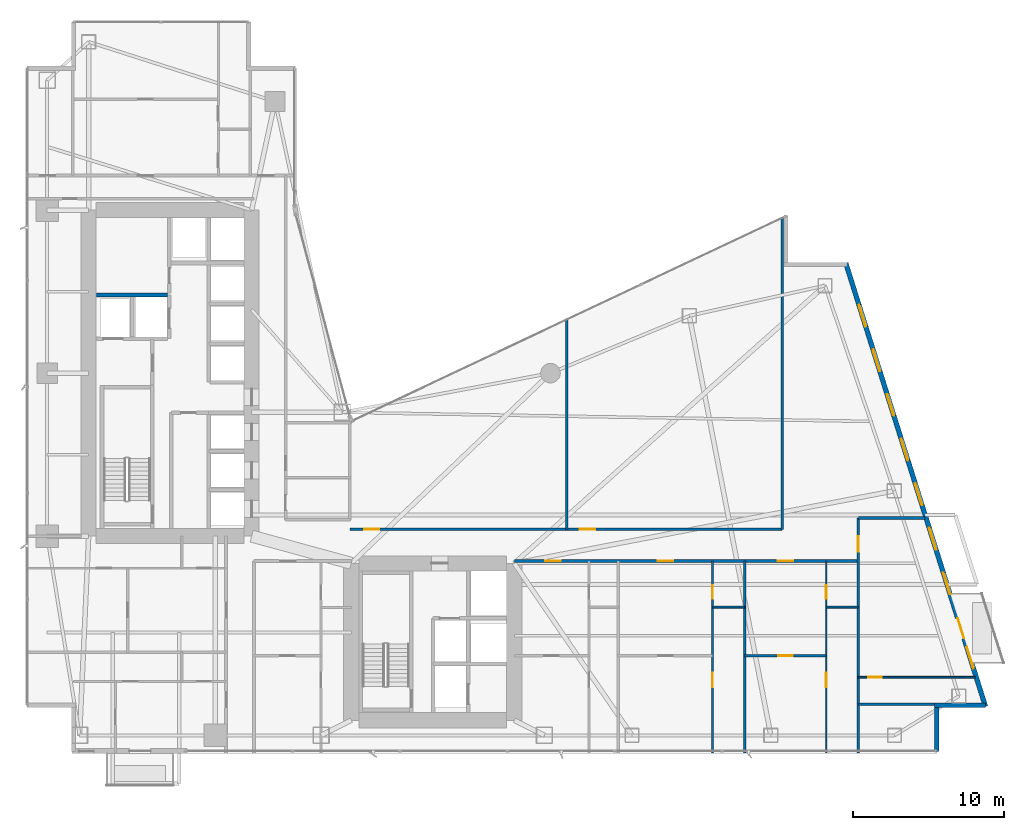
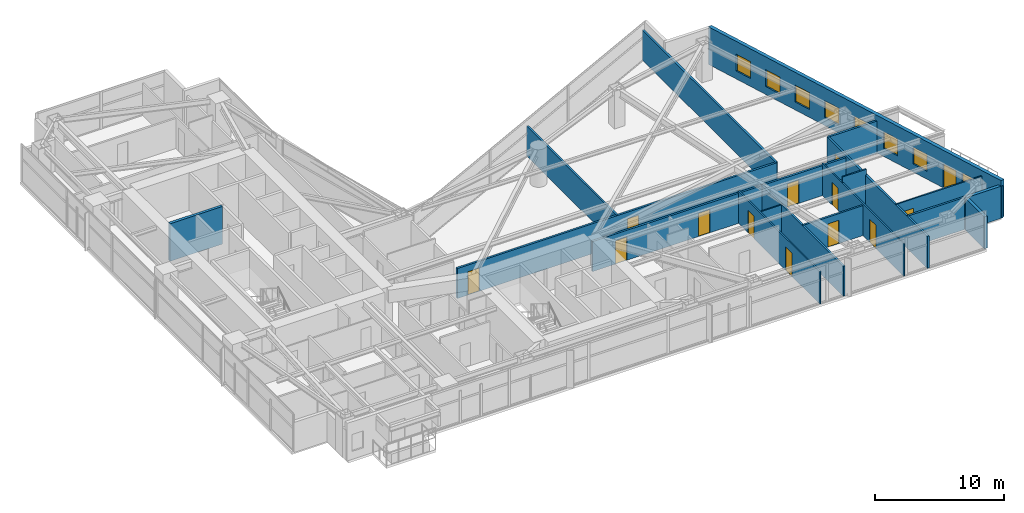
# One storey, part 24 of 30: 18 walls, 13 doors, 8 windows, 21 openings.
"""IFC4 building model written with IfcOpenShell, lengths in metres."""

from ifc_helpers import new_model, si_unit, direction, frame, frame_2d, origin, place, context, subcontext, project, spatial, rectangle, extrude, material, layer, layer_set, type_object, element, fill, save


model = new_model("IFC4")

# Units and contexts
model_context = context("Model", 3, precision=1e-05, world=origin(), true_north=direction((0.0, 1.0)))
body_context = subcontext(model_context, "Body", "Model", "MODEL_VIEW")
ifc_project = project(units=[si_unit("LENGTHUNIT", "METRE"), si_unit("AREAUNIT", "SQUARE_METRE"), si_unit("VOLUMEUNIT", "CUBIC_METRE"), si_unit("PLANEANGLEUNIT", "RADIAN"), si_unit("MASSUNIT", "GRAM", prefix="KILO")], contexts=[model_context])

# Site, building, storey
site_placement = place(None, origin())
site = spatial("IfcSite", under=ifc_project, at=site_placement, CompositionType="ELEMENT")
building_placement = place(site_placement, origin())
building = spatial("IfcBuilding", under=site, at=building_placement, Name="Calvorn Quay Hotel", CompositionType="ELEMENT")
storey_placement = place(building_placement, frame((0.0, 0.0, 30.800048828125)))
storey = spatial("IfcBuildingStorey", under=building, at=storey_placement, Name="L06", CompositionType="ELEMENT", Elevation=30.800048828125)

# Wall, openings, doors
ifc_material_1 = material(Name="Acoustic Fireboard Steel-Stud Partition", Category="steel")
ifc_layer_1 = layer(ifc_material_1, 0.179931640625)
ifc_layer_set_1 = layer_set([ifc_layer_1], Name="WL-CORR-FIRE-180")
wall_type_1 = type_object("IfcWallType", Name="WL-CORR-FIRE-180", PredefinedType="PARTITIONING", material=ifc_layer_set_1)
wall_1_placement = place(storey_placement, frame((32.39990234375, 15.14990234375, 0.0), z_axis=(0.0, 0.0, 1.0), x_axis=(1.0, 0.0, 0.0)))
wall_1 = element("IfcWall", 1, at=wall_1_placement, inside=storey, type_object=wall_type_1, Name="Partition Wall L06-WL-CORR-SE-S", PredefinedType="PARTITIONING", context=body_context, shape_type="SweptSolid", body=[
    extrude(rectangle(XDim=22.800048828125, YDim=0.179931640625, at=frame_2d((11.39990234375, 0.0))), origin(), (0.0, 0.0, 1.0), 2.83984375),
])
opening_1_placement = place(wall_1_placement, frame((2.070068359375, 0.0, 0.0)))
opening_1 = element("IfcOpeningElement", 2, at=opening_1_placement, cuts=wall_1, Name="Opening D-L06-U05", PredefinedType="OPENING", context=body_context, shape_type="SweptSolid", body=[
    extrude(rectangle(XDim=1.02001953125, YDim=2.199951171875, at=frame_2d((0.510009765625, 1.10009765625))), frame((0.0, 0.099853515625, 0.0), z_axis=(0.0, -1.0, 0.0), x_axis=(1.0, 0.0, 0.0)), (0.0, 0.0, 1.0), 0.199951171875),
])
opening_2_placement = place(wall_1_placement, frame((9.5, 0.0, 0.0)))
opening_2 = element("IfcOpeningElement", 3, at=opening_2_placement, cuts=wall_1, Name="Opening D-L06-U06", PredefinedType="OPENING", context=body_context, shape_type="SweptSolid", body=[
    extrude(rectangle(XDim=1.02001953125, YDim=2.199951171875, at=frame_2d((0.510009765625, 1.10009765625))), frame((0.0, 0.099853515625, 0.0), z_axis=(0.0, -1.0, 0.0), x_axis=(1.0, 0.0, 0.0)), (0.0, 0.0, 1.0), 0.199951171875),
])
opening_3_placement = place(wall_1_placement, frame((17.4599609375, 0.0, 0.0)))
opening_3 = element("IfcOpeningElement", 4, at=opening_3_placement, cuts=wall_1, Name="Opening D-L06-U07", PredefinedType="OPENING", context=body_context, shape_type="SweptSolid", body=[
    extrude(rectangle(XDim=1.02001953125, YDim=2.199951171875, at=frame_2d((0.510009765625, 1.10009765625))), frame((0.0, 0.099853515625, 0.0), z_axis=(0.0, -1.0, 0.0), x_axis=(1.0, 0.0, 0.0)), (0.0, 0.0, 1.0), 0.199951171875),
])
ifc_material_2 = material(Name="Solid-Core Walnut Veneer Hotel Fire Door")
door_type_1 = type_object("IfcDoorType", Name="DR-GUEST-ENTRY-1020", OperationType="NOTDEFINED", PredefinedType="DOOR", material=ifc_material_2)
door_1_placement = place(opening_1_placement, origin())
door_1 = element("IfcDoor", 5, at=door_1_placement, inside=storey, type_object=door_type_1, Name="South-East Unit Door U05 (L06)", OperationType="SINGLE_SWING_LEFT", OverallHeight=2.199951171875, OverallWidth=1.02001953125, PredefinedType="DOOR", context=body_context, shape_type="SweptSolid", body=[
    extrude(rectangle(XDim=1.02001953125, YDim=2.199951171875, at=frame_2d((0.510009765625, 1.10009765625))), frame((0.0, 0.02490234375, 0.0), z_axis=(0.0, -1.0, 0.0), x_axis=(1.0, 0.0, 0.0)), (0.0, 0.0, 1.0), 0.050048828125),
])
fill(opening_1, door_1)
door_2_placement = place(opening_2_placement, origin())
door_2 = element("IfcDoor", 6, at=door_2_placement, inside=storey, type_object=door_type_1, Name="South-East Unit Door U06 (L06)", OperationType="SINGLE_SWING_RIGHT", OverallHeight=2.199951171875, OverallWidth=1.02001953125, PredefinedType="DOOR", context=body_context, shape_type="SweptSolid", body=[
    extrude(rectangle(XDim=1.02001953125, YDim=2.199951171875, at=frame_2d((0.510009765625, 1.10009765625))), frame((0.0, 0.02490234375, 0.0), z_axis=(0.0, -1.0, 0.0), x_axis=(1.0, 0.0, 0.0)), (0.0, 0.0, 1.0), 0.050048828125),
])
fill(opening_2, door_2)
door_3_placement = place(opening_3_placement, origin())
door_3 = element("IfcDoor", 7, at=door_3_placement, inside=storey, type_object=door_type_1, Name="South-East Unit Door U07 (L06)", OperationType="SINGLE_SWING_LEFT", OverallHeight=2.199951171875, OverallWidth=1.02001953125, PredefinedType="DOOR", context=body_context, shape_type="SweptSolid", body=[
    extrude(rectangle(XDim=1.02001953125, YDim=2.199951171875, at=frame_2d((0.510009765625, 1.10009765625))), frame((0.0, 0.02490234375, 0.0), z_axis=(0.0, -1.0, 0.0), x_axis=(1.0, 0.0, 0.0)), (0.0, 0.0, 1.0), 0.050048828125),
])
fill(opening_3, door_3)

wall_2_placement = place(storey_placement, frame((21.5, 17.25, 0.0), z_axis=(0.0, 0.0, 1.0), x_axis=(1.0, 0.0, 0.0)))
wall_2 = element("IfcWall", 8, at=wall_2_placement, inside=storey, type_object=wall_type_1, Name="Partition Wall L06-WL-CORR-NE-N", PredefinedType="PARTITIONING", context=body_context, shape_type="SweptSolid", body=[
    extrude(rectangle(XDim=28.64990234375, YDim=0.179931640625, at=frame_2d((14.324951171875, 0.0))), origin(), (0.0, 0.0, 1.0), 2.83984375),
])
opening_4_placement = place(wall_2_placement, frame((0.949951171875, 0.0, 0.0)))
opening_4 = element("IfcOpeningElement", 9, at=opening_4_placement, cuts=wall_2, Name="Opening D-L06-NS1", PredefinedType="OPENING", context=body_context, shape_type="SweptSolid", body=[
    extrude(rectangle(XDim=1.02001953125, YDim=2.199951171875, at=frame_2d((0.510009765625, 1.10009765625))), frame((0.0, 0.099853515625, 0.0), z_axis=(0.0, -1.0, 0.0), x_axis=(1.0, 0.0, 0.0)), (0.0, 0.0, 1.0), 0.199951171875),
])
opening_5_placement = place(wall_2_placement, frame((15.22998046875, 0.0, 0.0)))
opening_5 = element("IfcOpeningElement", 10, at=opening_5_placement, cuts=wall_2, Name="Opening D-L06-NS2", PredefinedType="OPENING", context=body_context, shape_type="SweptSolid", body=[
    extrude(rectangle(XDim=1.02001953125, YDim=2.199951171875, at=frame_2d((0.510009765625, 1.10009765625))), frame((0.0, 0.099853515625, 0.0), z_axis=(0.0, -1.0, 0.0), x_axis=(1.0, 0.0, 0.0)), (0.0, 0.0, 1.0), 0.199951171875),
])
door_4_placement = place(opening_4_placement, origin())
door_4 = element("IfcDoor", 11, at=door_4_placement, inside=storey, type_object=door_type_1, Name="Conservatory Salon Door 1 (L06)", OperationType="SINGLE_SWING_RIGHT", OverallHeight=2.199951171875, OverallWidth=1.02001953125, PredefinedType="DOOR", context=body_context, shape_type="SweptSolid", body=[
    extrude(rectangle(XDim=1.02001953125, YDim=2.199951171875, at=frame_2d((0.510009765625, 1.10009765625))), frame((0.0, 0.02490234375, 0.0), z_axis=(0.0, -1.0, 0.0), x_axis=(1.0, 0.0, 0.0)), (0.0, 0.0, 1.0), 0.050048828125),
])
fill(opening_4, door_4)
door_5_placement = place(opening_5_placement, origin())
door_5 = element("IfcDoor", 12, at=door_5_placement, inside=storey, type_object=door_type_1, Name="Conservatory Salon Door 2 (L06)", OperationType="SINGLE_SWING_LEFT", OverallHeight=2.199951171875, OverallWidth=1.02001953125, PredefinedType="DOOR", context=body_context, shape_type="SweptSolid", body=[
    extrude(rectangle(XDim=1.02001953125, YDim=2.199951171875, at=frame_2d((0.510009765625, 1.10009765625))), frame((0.0, 0.02490234375, 0.0), z_axis=(0.0, -1.0, 0.0), x_axis=(1.0, 0.0, 0.0)), (0.0, 0.0, 1.0), 0.050048828125),
])
fill(opening_5, door_5)

# Walls
wall_3_placement = place(storey_placement, frame((50.14990234375, 17.25, 0.0), z_axis=(0.0, 0.0, 1.0), x_axis=(0.0, 1.0, 0.0)))
element("IfcWall", 13, at=wall_3_placement, inside=storey, type_object=wall_type_1, Name="Partition Wall L06-WL-NE-END-E", PredefinedType="PARTITIONING", context=body_context, shape_type="SweptSolid", body=[
    extrude(rectangle(XDim=20.7099609375, YDim=0.179931640625, at=frame_2d((10.35498046875, 0.0))), origin(), (0.0, 0.0, 1.0), 2.83984375),
])
wall_4_placement = place(storey_placement, frame((55.199951171875, 5.659912109375, 0.0), z_axis=(0.0, 0.0, 1.0), x_axis=(1.0, 0.0, 0.0)))
element("IfcWall", 14, at=wall_4_placement, inside=storey, type_object=wall_type_1, Name="Partition Wall L06-WL-TIP-S", PredefinedType="PARTITIONING", context=body_context, shape_type="SweptSolid", body=[
    extrude(rectangle(XDim=5.199951171875, YDim=0.179931640625, at=frame_2d((2.60009765625, 0.0))), origin(), (0.0, 0.0, 1.0), 3.0400390625),
])
wall_5_placement = place(storey_placement, frame((55.199951171875, 18.0, 0.0), z_axis=(0.0, 0.0, 1.0), x_axis=(1.0, 0.0, 0.0)))
element("IfcWall", 15, at=wall_5_placement, inside=storey, type_object=wall_type_1, Name="Partition Wall L06-WL-TIP-DIV", PredefinedType="PARTITIONING", context=body_context, shape_type="SweptSolid", body=[
    extrude(rectangle(XDim=4.429931640625, YDim=0.179931640625, at=frame_2d((2.21484375, 0.0))), origin(), (0.0, 0.0, 1.0), 3.0400390625),
])

# Wall, opening, door
wall_6_placement = place(storey_placement, frame((55.199951171875, 2.43994140625, 0.0), z_axis=(0.0, 0.0, 1.0), x_axis=(0.0, 1.0, 0.0)))
wall_6 = element("IfcWall", 16, at=wall_6_placement, inside=storey, type_object=wall_type_1, Name="Partition Wall L06-WL-CORR-TIP-E1", PredefinedType="PARTITIONING", context=body_context, shape_type="SweptSolid", body=[
    extrude(rectangle(XDim=15.56005859375, YDim=0.179931640625, at=frame_2d((7.780029296875, 0.0))), origin(), (0.0, 0.0, 1.0), 3.0400390625),
])
opening_6_placement = place(wall_6_placement, frame((13.330078125, 0.0, 0.0)))
opening_6 = element("IfcOpeningElement", 17, at=opening_6_placement, cuts=wall_6, Name="Opening D-L06-U08", PredefinedType="OPENING", context=body_context, shape_type="SweptSolid", body=[
    extrude(rectangle(XDim=1.02001953125, YDim=2.199951171875, at=frame_2d((0.510009765625, 1.10009765625))), frame((0.0, 0.099853515625, 0.0), z_axis=(0.0, -1.0, 0.0), x_axis=(1.0, 0.0, 0.0)), (0.0, 0.0, 1.0), 0.199951171875),
])
door_6_placement = place(opening_6_placement, origin())
door_6 = element("IfcDoor", 18, at=door_6_placement, inside=storey, type_object=door_type_1, Name="Terrace Suite Door U08 (L06)", OperationType="SINGLE_SWING_LEFT", OverallHeight=2.199951171875, OverallWidth=1.02001953125, PredefinedType="DOOR", context=body_context, shape_type="SweptSolid", body=[
    extrude(rectangle(XDim=1.02001953125, YDim=2.199951171875, at=frame_2d((0.510009765625, 1.10009765625))), frame((0.0, 0.02490234375, 0.0), z_axis=(0.0, -1.0, 0.0), x_axis=(1.0, 0.0, 0.0)), (0.0, 0.0, 1.0), 0.050048828125),
])
fill(opening_6, door_6)

# Wall
ifc_material_3 = material(Name="Moisture-Resistant Tile-Backed Partition")
ifc_layer_2 = layer(ifc_material_3, 0.125)
ifc_layer_set_2 = layer_set([ifc_layer_2], Name="WL-ENSUITE-125")
wall_type_2 = type_object("IfcWallType", Name="WL-ENSUITE-125", PredefinedType="PARTITIONING", material=ifc_layer_set_2)
wall_7_placement = place(storey_placement, frame((45.5400390625, 12.10009765625, 0.0), z_axis=(0.0, 0.0, 1.0), x_axis=(1.0, 0.0, 0.0)))
element("IfcWall", 19, at=wall_7_placement, inside=storey, type_object=wall_type_2, Name="Partition Wall L06-WL-U06-BDV", PredefinedType="PARTITIONING", context=body_context, shape_type="SweptSolid", body=[
    extrude(rectangle(XDim=2.1298828125, YDim=0.125, at=frame_2d((1.06494140625, 0.0))), origin(), (0.0, 0.0, 1.0), 2.83984375),
])

# Wall, openings, doors
wall_8_placement = place(storey_placement, frame((45.5400390625, 2.43994140625, 0.0), z_axis=(0.0, 0.0, 1.0), x_axis=(0.0, 1.0, 0.0)))
wall_8 = element("IfcWall", 20, at=wall_8_placement, inside=storey, type_object=wall_type_2, Name="Partition Wall L06-WL-U06-BV", PredefinedType="PARTITIONING", context=body_context, shape_type="SweptSolid", body=[
    extrude(rectangle(XDim=12.7099609375, YDim=0.125, at=frame_2d((6.35498046875, 0.0))), origin(), (0.0, 0.0, 1.0), 3.0400390625),
])
opening_7_placement = place(wall_8_placement, frame((4.35009765625, 0.0, 0.0)))
opening_7 = element("IfcOpeningElement", 21, at=opening_7_placement, cuts=wall_8, Name="Opening D-L06-S06", PredefinedType="OPENING", context=body_context, shape_type="SweptSolid", body=[
    extrude(rectangle(XDim=0.9599609375, YDim=2.199951171875, at=frame_2d((0.47998046875, 1.10009765625))), frame((0.0, 0.072509765625, 0.0), z_axis=(0.0, -1.0, 0.0), x_axis=(1.0, 0.0, 0.0)), (0.0, 0.0, 1.0), 0.14501953125),
])
opening_8_placement = place(wall_8_placement, frame((10.2099609375, 0.0, 0.0)))
opening_8 = element("IfcOpeningElement", 22, at=opening_8_placement, cuts=wall_8, Name="Opening D-L06-E06", PredefinedType="OPENING", context=body_context, shape_type="SweptSolid", body=[
    extrude(rectangle(XDim=0.89990234375, YDim=2.14990234375, at=frame_2d((0.449951171875, 1.074951171875))), frame((0.0, 0.072509765625, 0.0), z_axis=(0.0, -1.0, 0.0), x_axis=(1.0, 0.0, 0.0)), (0.0, 0.0, 1.0), 0.14501953125),
])
ifc_material_4 = material(Name="Moisture-Sealed Timber En-Suite Door", Category="wood")
door_type_2 = type_object("IfcDoorType", Name="DR-ENSUITE-900", OperationType="NOTDEFINED", PredefinedType="DOOR", material=ifc_material_4)
door_7_placement = place(opening_8_placement, origin())
door_7 = element("IfcDoor", 23, at=door_7_placement, inside=storey, type_object=door_type_2, Name="En-Suite Door 06", OperationType="SINGLE_SWING_RIGHT", OverallHeight=2.14990234375, OverallWidth=0.89990234375, PredefinedType="DOOR", context=body_context, shape_type="SweptSolid", body=[
    extrude(rectangle(XDim=0.89990234375, YDim=2.14990234375, at=frame_2d((0.449951171875, 1.074951171875))), frame((0.0, 0.02490234375, 0.0), z_axis=(0.0, -1.0, 0.0), x_axis=(1.0, 0.0, 0.0)), (0.0, 0.0, 1.0), 0.050048828125),
])
fill(opening_8, door_7)
ifc_material_5 = material(Name="Solid Timber Internal Suite Door", Category="wood")
door_type_3 = type_object("IfcDoorType", Name="DR-SUITE-INT-960", OperationType="NOTDEFINED", PredefinedType="DOOR", material=ifc_material_5)
door_8_placement = place(opening_7_placement, origin())
door_8 = element("IfcDoor", 24, at=door_8_placement, inside=storey, type_object=door_type_3, Name="Executive Study Door 06", OperationType="SINGLE_SWING_LEFT", OverallHeight=2.199951171875, OverallWidth=0.9599609375, PredefinedType="DOOR", context=body_context, shape_type="SweptSolid", body=[
    extrude(rectangle(XDim=0.9599609375, YDim=2.199951171875, at=frame_2d((0.47998046875, 1.10009765625))), frame((0.0, 0.02490234375, 0.0), z_axis=(0.0, -1.0, 0.0), x_axis=(1.0, 0.0, 0.0)), (0.0, 0.0, 1.0), 0.050048828125),
])
fill(opening_7, door_8)

# Wall
wall_9_placement = place(storey_placement, frame((53.070068359375, 12.10009765625, 0.0), z_axis=(0.0, 0.0, 1.0), x_axis=(1.0, 0.0, 0.0)))
element("IfcWall", 25, at=wall_9_placement, inside=storey, type_object=wall_type_2, Name="Partition Wall L06-WL-U07-BDV", PredefinedType="PARTITIONING", context=body_context, shape_type="SweptSolid", body=[
    extrude(rectangle(XDim=2.1298828125, YDim=0.125, at=frame_2d((1.06494140625, 0.0))), origin(), (0.0, 0.0, 1.0), 3.56005859375),
])

# Wall, openings, doors
wall_10_placement = place(storey_placement, frame((53.070068359375, 2.43994140625, 0.0), z_axis=(0.0, 0.0, 1.0), x_axis=(0.0, 1.0, 0.0)))
wall_10 = element("IfcWall", 26, at=wall_10_placement, inside=storey, type_object=wall_type_2, Name="Partition Wall L06-WL-U07-BV", PredefinedType="PARTITIONING", context=body_context, shape_type="SweptSolid", body=[
    extrude(rectangle(XDim=12.7099609375, YDim=0.125, at=frame_2d((6.35498046875, 0.0))), origin(), (0.0, 0.0, 1.0), 3.0400390625),
])
opening_9_placement = place(wall_10_placement, frame((4.35009765625, 0.0, 0.0)))
opening_9 = element("IfcOpeningElement", 27, at=opening_9_placement, cuts=wall_10, Name="Opening D-L06-S07", PredefinedType="OPENING", context=body_context, shape_type="SweptSolid", body=[
    extrude(rectangle(XDim=0.9599609375, YDim=2.199951171875, at=frame_2d((0.47998046875, 1.10009765625))), frame((0.0, 0.072509765625, 0.0), z_axis=(0.0, -1.0, 0.0), x_axis=(1.0, 0.0, 0.0)), (0.0, 0.0, 1.0), 0.14501953125),
])
opening_10_placement = place(wall_10_placement, frame((10.2099609375, 0.0, 0.0)))
opening_10 = element("IfcOpeningElement", 28, at=opening_10_placement, cuts=wall_10, Name="Opening D-L06-E07", PredefinedType="OPENING", context=body_context, shape_type="SweptSolid", body=[
    extrude(rectangle(XDim=0.89990234375, YDim=2.14990234375, at=frame_2d((0.449951171875, 1.074951171875))), frame((0.0, 0.072509765625, 0.0), z_axis=(0.0, -1.0, 0.0), x_axis=(1.0, 0.0, 0.0)), (0.0, 0.0, 1.0), 0.14501953125),
])
door_9_placement = place(opening_10_placement, origin())
door_9 = element("IfcDoor", 29, at=door_9_placement, inside=storey, type_object=door_type_2, Name="En-Suite Door 07", OperationType="SINGLE_SWING_RIGHT", OverallHeight=2.14990234375, OverallWidth=0.89990234375, PredefinedType="DOOR", context=body_context, shape_type="SweptSolid", body=[
    extrude(rectangle(XDim=0.89990234375, YDim=2.14990234375, at=frame_2d((0.449951171875, 1.074951171875))), frame((0.0, 0.02490234375, 0.0), z_axis=(0.0, -1.0, 0.0), x_axis=(1.0, 0.0, 0.0)), (0.0, 0.0, 1.0), 0.050048828125),
])
fill(opening_10, door_9)
door_10_placement = place(opening_9_placement, origin())
door_10 = element("IfcDoor", 30, at=door_10_placement, inside=storey, type_object=door_type_3, Name="Executive Study Door 07", OperationType="SINGLE_SWING_LEFT", OverallHeight=2.199951171875, OverallWidth=0.9599609375, PredefinedType="DOOR", context=body_context, shape_type="SweptSolid", body=[
    extrude(rectangle(XDim=0.9599609375, YDim=2.199951171875, at=frame_2d((0.47998046875, 1.10009765625))), frame((0.0, 0.02490234375, 0.0), z_axis=(0.0, -1.0, 0.0), x_axis=(1.0, 0.0, 0.0)), (0.0, 0.0, 1.0), 0.050048828125),
])
fill(opening_9, door_10)

# Wall, opening, door
wall_11_placement = place(storey_placement, frame((55.199951171875, 7.449951171875, 0.0), z_axis=(0.0, 0.0, 1.0), x_axis=(1.0, 0.0, 0.0)))
wall_11 = element("IfcWall", 31, at=wall_11_placement, inside=storey, type_object=wall_type_2, Name="Partition Wall L06-WL-U08-BH", PredefinedType="PARTITIONING", context=body_context, shape_type="SweptSolid", body=[
    extrude(rectangle(XDim=7.760009765625, YDim=0.125, at=frame_2d((3.8798828125, 0.0))), origin(), (0.0, 0.0, 1.0), 3.0400390625),
])
opening_11_placement = place(wall_11_placement, frame((0.64990234375, 0.0, 0.0)))
opening_11 = element("IfcOpeningElement", 32, at=opening_11_placement, cuts=wall_11, Name="Opening D-L06-E08", PredefinedType="OPENING", context=body_context, shape_type="SweptSolid", body=[
    extrude(rectangle(XDim=0.89990234375, YDim=2.14990234375, at=frame_2d((0.449951171875, 1.074951171875))), frame((0.0, 0.072509765625, 0.0), z_axis=(0.0, -1.0, 0.0), x_axis=(1.0, 0.0, 0.0)), (0.0, 0.0, 1.0), 0.14501953125),
])
door_11_placement = place(opening_11_placement, origin())
door_11 = element("IfcDoor", 33, at=door_11_placement, inside=storey, type_object=door_type_2, Name="En-Suite Door 08", OperationType="SINGLE_SWING_LEFT", OverallHeight=2.14990234375, OverallWidth=0.89990234375, PredefinedType="DOOR", context=body_context, shape_type="SweptSolid", body=[
    extrude(rectangle(XDim=0.89990234375, YDim=2.14990234375, at=frame_2d((0.449951171875, 1.074951171875))), frame((0.0, 0.02490234375, 0.0), z_axis=(0.0, -1.0, 0.0), x_axis=(1.0, 0.0, 0.0)), (0.0, 0.0, 1.0), 0.050048828125),
])
fill(opening_11, door_11)

# Walls
ifc_material_6 = material(Name="Concrete C40", Category="concrete")
ifc_layer_3 = layer(ifc_material_6, 0.320068359375)
ifc_layer_set_3 = layer_set([ifc_layer_3], Name="WL-EXT-SPANDREL-320")
wall_type_3 = type_object("IfcWallType", Name="WL-EXT-SPANDREL-320", PredefinedType="SOLIDWALL", material=ifc_layer_set_3)
wall_12_placement = place(storey_placement, frame((60.39990234375, 2.52001953125, 0.0), z_axis=(0.0, 0.0, 1.0), x_axis=(0.0, 1.0, 0.0)))
element("IfcWall", 34, at=wall_12_placement, inside=storey, type_object=wall_type_3, Name="Notched Corner Spandrel L06-SE1", PredefinedType="SOLIDWALL", context=body_context, shape_type="SweptSolid", body=[
    extrude(rectangle(XDim=2.93994140625, YDim=0.280029296875, at=frame_2d((1.469970703125, 0.0))), origin(), (0.0, 0.0, 1.0), 3.0400390625),
])
wall_13_placement = place(storey_placement, frame((60.260009765625, 5.60009765625, 0.0), z_axis=(0.0, 0.0, 1.0), x_axis=(1.0, 0.0, 0.0)))
element("IfcWall", 35, at=wall_13_placement, inside=storey, type_object=wall_type_3, Name="Notched Corner Spandrel L06-SE2", PredefinedType="SOLIDWALL", context=body_context, shape_type="SweptSolid", body=[
    extrude(rectangle(XDim=3.3798828125, YDim=0.280029296875, at=frame_2d((1.68994140625, 0.0))), origin(), (0.0, 0.0, 1.0), 3.0400390625),
])

# Wall, openings, door, windows
wall_14_placement = place(storey_placement, frame((63.6298828125, 5.5048828125, 0.0), z_axis=(0.0, 0.0, 1.0), x_axis=(-0.300501856448, 0.953781229775, 0.0)))
wall_14 = element("IfcWall", 36, at=wall_14_placement, inside=storey, type_object=wall_type_3, Name="East Stepped Waterfront Exterior Wall (L06)", PredefinedType="SOLIDWALL", context=body_context, shape_type="SweptSolid", body=[
    extrude(rectangle(XDim=30.814453125, YDim=0.320068359375, at=frame_2d((15.4072265625, 0.0))), origin(), (0.0, 0.0, 1.0), 3.56005859375),
])
opening_12_placement = place(wall_14_placement, frame((4.7470703125, 0.0, 0.0)))
opening_12 = element("IfcOpeningElement", 37, at=opening_12_placement, cuts=wall_14, Name="Opening DB-L06-1", PredefinedType="OPENING", context=body_context, shape_type="SweptSolid", body=[
    extrude(rectangle(XDim=1.39990234375, YDim=2.25, at=frame_2d((0.699951171875, 1.125))), frame((0.0, 0.169921875, 0.0), z_axis=(0.0, -1.0, 0.0), x_axis=(1.0, 0.0, 0.0)), (0.0, 0.0, 1.0), 0.340087890625),
])
opening_13_placement = place(wall_14_placement, frame((2.64990234375, 0.0, 0.75)))
opening_13 = element("IfcOpeningElement", 38, at=opening_13_placement, cuts=wall_14, Name="Opening WG-L06-E1", PredefinedType="OPENING", context=body_context, shape_type="SweptSolid", body=[
    extrude(rectangle(XDim=1.5, YDim=1.60009765625, at=frame_2d((0.75, 0.800048828125))), frame((0.0, 0.169921875, 0.0), z_axis=(0.0, -1.0, 0.0), x_axis=(1.0, 0.0, 0.0)), (0.0, 0.0, 1.0), 0.340087890625),
])
opening_14_placement = place(wall_14_placement, frame((7.800048828125, 0.0, 0.75)))
opening_14 = element("IfcOpeningElement", 39, at=opening_14_placement, cuts=wall_14, Name="Opening WG-L06-E2", PredefinedType="OPENING", context=body_context, shape_type="SweptSolid", body=[
    extrude(rectangle(XDim=1.5, YDim=1.60009765625, at=frame_2d((0.75, 0.800048828125))), frame((0.0, 0.169921875, 0.0), z_axis=(0.0, -1.0, 0.0), x_axis=(1.0, 0.0, 0.0)), (0.0, 0.0, 1.0), 0.340087890625),
])
opening_15_placement = place(wall_14_placement, frame((10.89990234375, 0.0, 0.75)))
opening_15 = element("IfcOpeningElement", 40, at=opening_15_placement, cuts=wall_14, Name="Opening WG-L06-E3", PredefinedType="OPENING", context=body_context, shape_type="SweptSolid", body=[
    extrude(rectangle(XDim=1.5, YDim=1.60009765625, at=frame_2d((0.75, 0.800048828125))), frame((0.0, 0.169921875, 0.0), z_axis=(0.0, -1.0, 0.0), x_axis=(1.0, 0.0, 0.0)), (0.0, 0.0, 1.0), 0.340087890625),
])
opening_16_placement = place(wall_14_placement, frame((14.0, 0.0, 0.75)))
opening_16 = element("IfcOpeningElement", 41, at=opening_16_placement, cuts=wall_14, Name="Opening WG-L06-E4", PredefinedType="OPENING", context=body_context, shape_type="SweptSolid", body=[
    extrude(rectangle(XDim=1.5, YDim=1.60009765625, at=frame_2d((0.75, 0.800048828125))), frame((0.0, 0.169921875, 0.0), z_axis=(0.0, -1.0, 0.0), x_axis=(1.0, 0.0, 0.0)), (0.0, 0.0, 1.0), 0.340087890625),
])
opening_17_placement = place(wall_14_placement, frame((17.10009765625, 0.0, 0.75)))
opening_17 = element("IfcOpeningElement", 42, at=opening_17_placement, cuts=wall_14, Name="Opening WG-L06-E5", PredefinedType="OPENING", context=body_context, shape_type="SweptSolid", body=[
    extrude(rectangle(XDim=1.5, YDim=1.60009765625, at=frame_2d((0.75, 0.800048828125))), frame((0.0, 0.169921875, 0.0), z_axis=(0.0, -1.0, 0.0), x_axis=(1.0, 0.0, 0.0)), (0.0, 0.0, 1.0), 0.340087890625),
])
opening_18_placement = place(wall_14_placement, frame((20.199951171875, 0.0, 0.75)))
opening_18 = element("IfcOpeningElement", 43, at=opening_18_placement, cuts=wall_14, Name="Opening WG-L06-E6", PredefinedType="OPENING", context=body_context, shape_type="SweptSolid", body=[
    extrude(rectangle(XDim=1.5, YDim=1.60009765625, at=frame_2d((0.75, 0.800048828125))), frame((0.0, 0.169921875, 0.0), z_axis=(0.0, -1.0, 0.0), x_axis=(1.0, 0.0, 0.0)), (0.0, 0.0, 1.0), 0.340087890625),
])
opening_19_placement = place(wall_14_placement, frame((23.300048828125, 0.0, 0.75)))
opening_19 = element("IfcOpeningElement", 44, at=opening_19_placement, cuts=wall_14, Name="Opening WG-L06-E7", PredefinedType="OPENING", context=body_context, shape_type="SweptSolid", body=[
    extrude(rectangle(XDim=1.5, YDim=1.60009765625, at=frame_2d((0.75, 0.800048828125))), frame((0.0, 0.169921875, 0.0), z_axis=(0.0, -1.0, 0.0), x_axis=(1.0, 0.0, 0.0)), (0.0, 0.0, 1.0), 0.340087890625),
])
opening_20_placement = place(wall_14_placement, frame((26.39990234375, 0.0, 0.75)))
opening_20 = element("IfcOpeningElement", 45, at=opening_20_placement, cuts=wall_14, Name="Opening WG-L06-E8", PredefinedType="OPENING", context=body_context, shape_type="SweptSolid", body=[
    extrude(rectangle(XDim=1.5, YDim=1.60009765625, at=frame_2d((0.75, 0.800048828125))), frame((0.0, 0.169921875, 0.0), z_axis=(0.0, -1.0, 0.0), x_axis=(1.0, 0.0, 0.0)), (0.0, 0.0, 1.0), 0.340087890625),
])
ifc_material_7 = material(Name="Typhoon-Rated Low-E Aluminium Terrace Door", Category="aluminium")
door_type_4 = type_object("IfcDoorType", Name="DR-BALCONY-GLZ-1400", OperationType="NOTDEFINED", PredefinedType="DOOR", material=ifc_material_7)
door_12_placement = place(opening_12_placement, origin())
door_12 = element("IfcDoor", 46, at=door_12_placement, inside=storey, type_object=door_type_4, Name="Tree Balcony Terrace Door L06-BALC-E", OperationType="SINGLE_SWING_LEFT", OverallHeight=2.25, OverallWidth=1.39990234375, PredefinedType="DOOR", context=body_context, shape_type="SweptSolid", body=[
    extrude(rectangle(XDim=1.39990234375, YDim=2.25, at=frame_2d((0.699951171875, 1.125))), frame((0.0, 0.02490234375, 0.0), z_axis=(0.0, -1.0, 0.0), x_axis=(1.0, 0.0, 0.0)), (0.0, 0.0, 1.0), 0.050048828125),
])
fill(opening_12, door_12)
ifc_material_8 = material(Name="Self-Closing Class B Fire Window")
window_type = type_object("IfcWindowType", Name="WIN-REFUGE-1500x1600", PartitioningType="SINGLE_PANEL", PredefinedType="WINDOW", material=ifc_material_8)
window_1_placement = place(opening_13_placement, origin())
window_1 = element("IfcWindow", 47, at=window_1_placement, inside=storey, type_object=window_type, Name="East Facade Window L06-E1", OverallHeight=1.60009765625, OverallWidth=1.5, PartitioningType="SINGLE_PANEL", PredefinedType="WINDOW", context=body_context, shape_type="SweptSolid", body=[
    extrude(rectangle(XDim=1.5, YDim=1.60009765625, at=frame_2d((0.75, 0.800048828125))), frame((0.0, 0.030029296875, 0.0), z_axis=(0.0, -1.0, 0.0), x_axis=(1.0, 0.0, 0.0)), (0.0, 0.0, 1.0), 0.06005859375),
])
fill(opening_13, window_1)
window_2_placement = place(opening_14_placement, origin())
window_2 = element("IfcWindow", 48, at=window_2_placement, inside=storey, type_object=window_type, Name="East Facade Window L06-E2", OverallHeight=1.60009765625, OverallWidth=1.5, PartitioningType="SINGLE_PANEL", PredefinedType="WINDOW", context=body_context, shape_type="SweptSolid", body=[
    extrude(rectangle(XDim=1.5, YDim=1.60009765625, at=frame_2d((0.75, 0.800048828125))), frame((0.0, 0.030029296875, 0.0), z_axis=(0.0, -1.0, 0.0), x_axis=(1.0, 0.0, 0.0)), (0.0, 0.0, 1.0), 0.06005859375),
])
fill(opening_14, window_2)
window_3_placement = place(opening_15_placement, origin())
window_3 = element("IfcWindow", 49, at=window_3_placement, inside=storey, type_object=window_type, Name="East Facade Window L06-E3", OverallHeight=1.60009765625, OverallWidth=1.5, PartitioningType="SINGLE_PANEL", PredefinedType="WINDOW", context=body_context, shape_type="SweptSolid", body=[
    extrude(rectangle(XDim=1.5, YDim=1.60009765625, at=frame_2d((0.75, 0.800048828125))), frame((0.0, 0.030029296875, 0.0), z_axis=(0.0, -1.0, 0.0), x_axis=(1.0, 0.0, 0.0)), (0.0, 0.0, 1.0), 0.06005859375),
])
fill(opening_15, window_3)
window_4_placement = place(opening_16_placement, origin())
window_4 = element("IfcWindow", 50, at=window_4_placement, inside=storey, type_object=window_type, Name="East Facade Window L06-E4", OverallHeight=1.60009765625, OverallWidth=1.5, PartitioningType="SINGLE_PANEL", PredefinedType="WINDOW", context=body_context, shape_type="SweptSolid", body=[
    extrude(rectangle(XDim=1.5, YDim=1.60009765625, at=frame_2d((0.75, 0.800048828125))), frame((0.0, 0.030029296875, 0.0), z_axis=(0.0, -1.0, 0.0), x_axis=(1.0, 0.0, 0.0)), (0.0, 0.0, 1.0), 0.06005859375),
])
fill(opening_16, window_4)
window_5_placement = place(opening_17_placement, origin())
window_5 = element("IfcWindow", 51, at=window_5_placement, inside=storey, type_object=window_type, Name="East Facade Window L06-E5", OverallHeight=1.60009765625, OverallWidth=1.5, PartitioningType="SINGLE_PANEL", PredefinedType="WINDOW", context=body_context, shape_type="SweptSolid", body=[
    extrude(rectangle(XDim=1.5, YDim=1.60009765625, at=frame_2d((0.75, 0.800048828125))), frame((0.0, 0.030029296875, 0.0), z_axis=(0.0, -1.0, 0.0), x_axis=(1.0, 0.0, 0.0)), (0.0, 0.0, 1.0), 0.06005859375),
])
fill(opening_17, window_5)
window_6_placement = place(opening_18_placement, origin())
window_6 = element("IfcWindow", 52, at=window_6_placement, inside=storey, type_object=window_type, Name="East Facade Window L06-E6", OverallHeight=1.60009765625, OverallWidth=1.5, PartitioningType="SINGLE_PANEL", PredefinedType="WINDOW", context=body_context, shape_type="SweptSolid", body=[
    extrude(rectangle(XDim=1.5, YDim=1.60009765625, at=frame_2d((0.75, 0.800048828125))), frame((0.0, 0.030029296875, 0.0), z_axis=(0.0, -1.0, 0.0), x_axis=(1.0, 0.0, 0.0)), (0.0, 0.0, 1.0), 0.06005859375),
])
fill(opening_18, window_6)
window_7_placement = place(opening_19_placement, origin())
window_7 = element("IfcWindow", 53, at=window_7_placement, inside=storey, type_object=window_type, Name="East Facade Window L06-E7", OverallHeight=1.60009765625, OverallWidth=1.5, PartitioningType="SINGLE_PANEL", PredefinedType="WINDOW", context=body_context, shape_type="SweptSolid", body=[
    extrude(rectangle(XDim=1.5, YDim=1.60009765625, at=frame_2d((0.75, 0.800048828125))), frame((0.0, 0.030029296875, 0.0), z_axis=(0.0, -1.0, 0.0), x_axis=(1.0, 0.0, 0.0)), (0.0, 0.0, 1.0), 0.06005859375),
])
fill(opening_19, window_7)
window_8_placement = place(opening_20_placement, origin())
window_8 = element("IfcWindow", 54, at=window_8_placement, inside=storey, type_object=window_type, Name="East Facade Window L06-E8", OverallHeight=1.60009765625, OverallWidth=1.5, PartitioningType="SINGLE_PANEL", PredefinedType="WINDOW", context=body_context, shape_type="SweptSolid", body=[
    extrude(rectangle(XDim=1.5, YDim=1.60009765625, at=frame_2d((0.75, 0.800048828125))), frame((0.0, 0.030029296875, 0.0), z_axis=(0.0, -1.0, 0.0), x_axis=(1.0, 0.0, 0.0)), (0.0, 0.0, 1.0), 0.06005859375),
])
fill(opening_20, window_8)

# Wall, opening, door
ifc_material_9 = material(Name="Double-Stud Acoustic Gypsum Partition")
ifc_layer_4 = layer(ifc_material_9, 0.159912109375)
ifc_layer_set_4 = layer_set([ifc_layer_4], Name="WL-INTERSUITE-160")
wall_type_4 = type_object("IfcWallType", Name="WL-INTERSUITE-160", PredefinedType="PARTITIONING", material=ifc_layer_set_4)
wall_15_placement = place(storey_placement, frame((47.669921875, 8.8798828125, 0.0), z_axis=(0.0, 0.0, 1.0), x_axis=(1.0, 0.0, 0.0)))
wall_15 = element("IfcWall", 55, at=wall_15_placement, inside=storey, type_object=wall_type_4, Name="Partition Wall L06-WL-U07-MSP", PredefinedType="PARTITIONING", context=body_context, shape_type="SweptSolid", body=[
    extrude(rectangle(XDim=5.400146484375, YDim=0.159912109375, at=frame_2d((2.7001953125, 0.0))), origin(), (0.0, 0.0, 1.0), 2.83984375),
])
opening_21_placement = place(wall_15_placement, frame((2.219970703125, 0.0, 0.0)))
opening_21 = element("IfcOpeningElement", 56, at=opening_21_placement, cuts=wall_15, Name="Opening D-L06-M07", PredefinedType="OPENING", context=body_context, shape_type="SweptSolid", body=[
    extrude(rectangle(XDim=0.9599609375, YDim=2.199951171875, at=frame_2d((0.47998046875, 1.10009765625))), frame((0.0, 0.08984375, 0.0), z_axis=(0.0, -1.0, 0.0), x_axis=(1.0, 0.0, 0.0)), (0.0, 0.0, 1.0), 0.179931640625),
])
door_13_placement = place(opening_21_placement, origin())
door_13 = element("IfcDoor", 57, at=door_13_placement, inside=storey, type_object=door_type_3, Name="Suite Bedroom Door 07", OperationType="SINGLE_SWING_LEFT", OverallHeight=2.199951171875, OverallWidth=0.9599609375, PredefinedType="DOOR", context=body_context, shape_type="SweptSolid", body=[
    extrude(rectangle(XDim=0.9599609375, YDim=2.199951171875, at=frame_2d((0.47998046875, 1.10009765625))), frame((0.0, 0.02490234375, 0.0), z_axis=(0.0, -1.0, 0.0), x_axis=(1.0, 0.0, 0.0)), (0.0, 0.0, 1.0), 0.050048828125),
])
fill(opening_21, door_13)

# Walls
wall_16_placement = place(storey_placement, frame((47.669921875, 2.43994140625, 0.0), z_axis=(0.0, 0.0, 1.0), x_axis=(0.0, 1.0, 0.0)))
element("IfcWall", 58, at=wall_16_placement, inside=storey, type_object=wall_type_4, Name="Partition Wall L06-WL-SE-DIV-2", PredefinedType="PARTITIONING", context=body_context, shape_type="SweptSolid", body=[
    extrude(rectangle(XDim=12.7099609375, YDim=0.159912109375, at=frame_2d((6.35498046875, 0.0))), origin(), (0.0, 0.0, 1.0), 2.83984375),
])
wall_17_placement = place(storey_placement, frame((35.8798828125, 17.25, 0.0), z_axis=(0.0, 0.0, 1.0), x_axis=(0.0, 1.0, 0.0)))
element("IfcWall", 59, at=wall_17_placement, inside=storey, type_object=wall_type_4, Name="Partition Wall L06-WL-NE-DIV-1", PredefinedType="PARTITIONING", context=body_context, shape_type="SweptSolid", body=[
    extrude(rectangle(XDim=13.969970703125, YDim=0.159912109375, at=frame_2d((6.98486328125, 0.0))), origin(), (0.0, 0.0, 1.0), 2.83984375),
])
ifc_material_10 = material(Name="Concrete C40", Category="concrete")
ifc_layer_5 = layer(ifc_material_10, 0.239990234375)
ifc_layer_set_5 = layer_set([ifc_layer_5], Name="WL-SHAFT-240")
wall_type_5 = type_object("IfcWallType", Name="WL-SHAFT-240", PredefinedType="SOLIDWALL", material=ifc_layer_set_5)
wall_18_placement = place(storey_placement, frame((4.719970703125, 32.780029296875, 0.0), z_axis=(0.0, 0.0, 1.0), x_axis=(1.0, 0.0, 0.0)))
element("IfcWall", 60, at=wall_18_placement, inside=storey, type_object=wall_type_5, Name="Partition Wall L06-WL-CWW-SLW-N", PredefinedType="SOLIDWALL", context=body_context, shape_type="SweptSolid", body=[
    extrude(rectangle(XDim=4.699951171875, YDim=0.239990234375, at=frame_2d((2.35009765625, 0.0))), origin(), (0.0, 0.0, 1.0), 3.56005859375),
])

save(model, "model.ifc")
